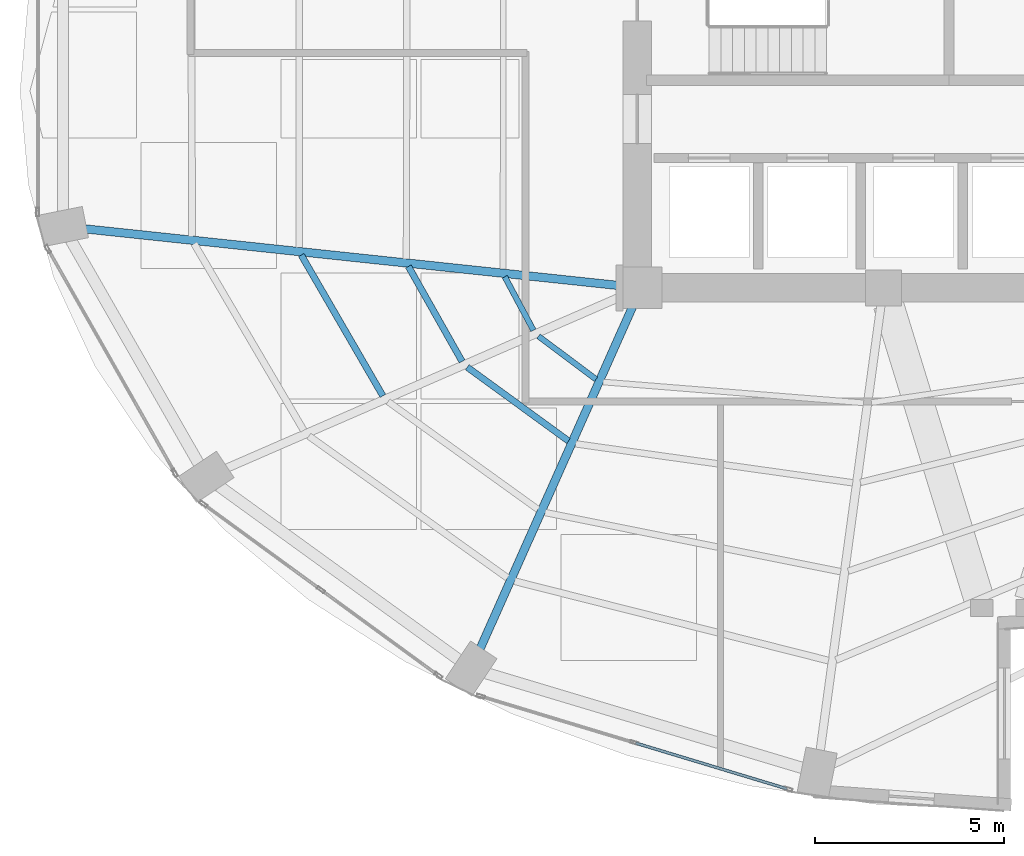
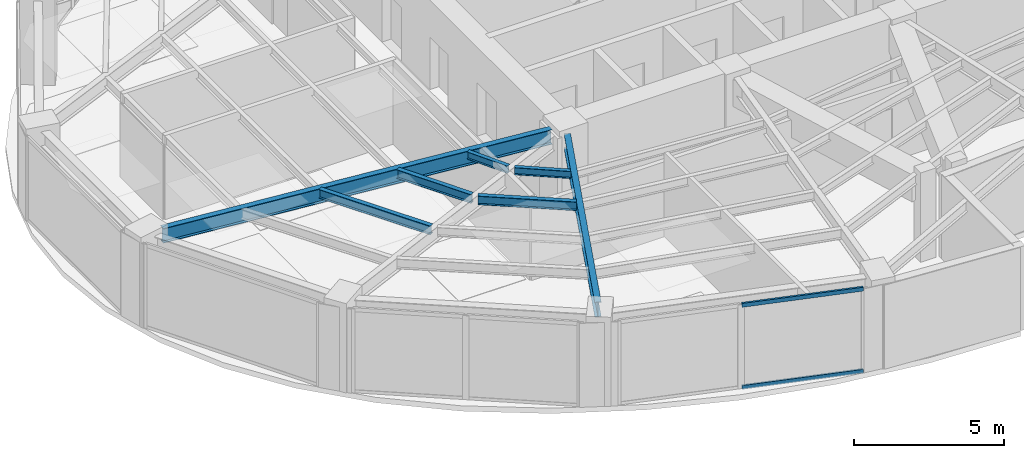
# One storey, part 4 of 23: 7 beams, 2 members, 1 element without a shape of its own.
"""IFC4 building model written with IfcOpenShell, lengths in metres."""

from ifc_helpers import new_model, si_unit, direction, frame, origin, origin_2d, place, context, subcontext, project, spatial, hollow_rectangle, i_section, extrude, material, layer, layer_set, material_profile, profile_set, type_object, element, aggregate, save


model = new_model("IFC4")

# Units and contexts
model_context = context("Model", 3, precision=1e-05, world=origin(), true_north=direction((0.0, 1.0)))
body_context = subcontext(model_context, "Body", "Model", "MODEL_VIEW")
ifc_project = project(units=[si_unit("LENGTHUNIT", "METRE"), si_unit("AREAUNIT", "SQUARE_METRE"), si_unit("VOLUMEUNIT", "CUBIC_METRE"), si_unit("PLANEANGLEUNIT", "RADIAN"), si_unit("MASSUNIT", "GRAM", prefix="KILO")], contexts=[model_context])

# Site, building, storey
site_placement = place(None, origin())
site = spatial("IfcSite", under=ifc_project, at=site_placement, CompositionType="ELEMENT")
building_placement = place(site_placement, origin())
building = spatial("IfcBuilding", under=site, at=building_placement, Name="Lazwardi Medical Tower", CompositionType="ELEMENT")
storey_placement = place(building_placement, frame((0.0, 0.0, 121.8720703125)))
storey = spatial("IfcBuildingStorey", under=building, at=storey_placement, Name="L31", CompositionType="ELEMENT", Elevation=121.8720703125)

# Beams
ifc_material_1 = material(Name="Steel S355", Category="steel")
ifc_material_profile_1 = material_profile(ifc_material_1, i_section(OverallWidth=0.219970703125, OverallDepth=0.60009765625, WebThickness=0.011962890625, FlangeThickness=0.01904296875, at=origin_2d()), Name="IPE 600")
ifc_profile_set_1 = profile_set([ifc_material_profile_1], Name="Steel S355")
beam_type_1 = type_object("IfcBeamType", Name="BM-RG-W1", PredefinedType="BEAM", material=ifc_profile_set_1)
beam_1_placement = place(storey_placement, frame((11.7138671875, 21.958984375, 3.1279296875), z_axis=(0.994413340753, -0.10555618282, 0.0), x_axis=(0.10555618282, 0.994413340753, 0.0)))
element("IfcBeam", 1, at=beam_1_placement, inside=storey, type_object=beam_type_1, Name="Radial girder RG-02 R13 L31", PredefinedType="BEAM", context=body_context, shape_type="SweptSolid", body=[
    extrude(i_section(OverallWidth=0.219970703125, OverallDepth=0.60009765625, WebThickness=0.011962890625, FlangeThickness=0.01904296875, at=origin_2d()), origin(), (0.0, 0.0, 1.0), 14.233642578125),
])
beam_2_placement = place(storey_placement, frame((22.152587890625, 10.872314453125, 3.1279296875), z_axis=(0.407165924957, 0.913354208155, 0.0), x_axis=(-0.913354208155, 0.407165924957, 0.0)))
element("IfcBeam", 2, at=beam_2_placement, inside=storey, type_object=beam_type_1, Name="Radial girder RG-02 R15 L31", PredefinedType="BEAM", context=body_context, shape_type="SweptSolid", body=[
    extrude(i_section(OverallWidth=0.219970703125, OverallDepth=0.60009765625, WebThickness=0.011962890625, FlangeThickness=0.01904296875, at=origin_2d()), origin(), (0.0, 0.0, 1.0), 9.896484375),
])
ifc_material_profile_2 = material_profile(ifc_material_1, i_section(OverallWidth=0.169921875, OverallDepth=0.360107421875, WebThickness=0.008056640625, FlangeThickness=0.0126953125, at=origin_2d()), Name="IPE 360")
ifc_profile_set_2 = profile_set([ifc_material_profile_2], Name="Steel S355")
beam_type_2 = type_object("IfcBeamType", Name="BM-SJ-02", PredefinedType="JOIST", material=ifc_profile_set_2)
beam_3_placement = place(storey_placement, frame((17.42822265625, 21.26708984375, 3.248046875), z_axis=(0.501365325212, -0.865235696602, 0.0), x_axis=(0.865235696602, 0.501365325212, 0.0)))
element("IfcBeam", 3, at=beam_3_placement, inside=storey, type_object=beam_type_2, Name="Secondary joist SJ-02 R2 B13 L31", PredefinedType="JOIST", context=body_context, shape_type="SweptSolid", body=[
    extrude(i_section(OverallWidth=0.169921875, OverallDepth=0.360107421875, WebThickness=0.008056640625, FlangeThickness=0.0126953125, at=origin_2d()), origin(), (0.0, 0.0, 1.0), 4.298828125),
])
beam_4_placement = place(storey_placement, frame((20.258056640625, 20.966064453125, 3.248046875), z_axis=(0.492026539517, -0.870580199873, 0.0), x_axis=(0.870580199873, 0.492026539517, 0.0)))
element("IfcBeam", 4, at=beam_4_placement, inside=storey, type_object=beam_type_2, Name="Secondary joist SJ-02 R3 B13 L31", PredefinedType="JOIST", context=body_context, shape_type="SweptSolid", body=[
    extrude(i_section(OverallWidth=0.169921875, OverallDepth=0.360107421875, WebThickness=0.008056640625, FlangeThickness=0.0126953125, at=origin_2d()), origin(), (0.0, 0.0, 1.0), 2.880859375),
])
beam_5_placement = place(storey_placement, frame((21.81201171875, 18.3046875, 3.248046875), z_axis=(0.808301737247, -0.588768461761, 0.0), x_axis=(0.588768461761, 0.808301737247, 0.0)))
element("IfcBeam", 5, at=beam_5_placement, inside=storey, type_object=beam_type_2, Name="Secondary joist SJ-02 R3 B14 L31", PredefinedType="JOIST", context=body_context, shape_type="SweptSolid", body=[
    extrude(i_section(OverallWidth=0.169921875, OverallDepth=0.360107421875, WebThickness=0.008056640625, FlangeThickness=0.0126953125, at=origin_2d()), origin(), (0.0, 0.0, 1.0), 3.307373046875),
])
ifc_material_profile_3 = material_profile(ifc_material_1, i_section(OverallWidth=0.14990234375, OverallDepth=0.300048828125, WebThickness=0.007080078125, FlangeThickness=0.0107421875, at=origin_2d()), Name="IPE 300")
ifc_profile_set_3 = profile_set([ifc_material_profile_3], Name="Steel S355")
beam_type_3 = type_object("IfcBeamType", Name="BM-SJ-03", PredefinedType="JOIST", material=ifc_profile_set_3)
beam_6_placement = place(storey_placement, frame((22.8037109375, 20.6943359375, 3.27783203125), z_axis=(0.471022344925, -0.882121278839, 0.0), x_axis=(0.882121278839, 0.471022344925, 0.0)))
element("IfcBeam", 6, at=beam_6_placement, inside=storey, type_object=beam_type_3, Name="Secondary joist SJ-03 R4 B13 L31", PredefinedType="JOIST", context=body_context, shape_type="SweptSolid", body=[
    extrude(i_section(OverallWidth=0.14990234375, OverallDepth=0.300048828125, WebThickness=0.007080078125, FlangeThickness=0.0107421875, at=origin_2d()), origin(), (0.0, 0.0, 1.0), 1.605224609375),
])
beam_7_placement = place(storey_placement, frame((23.693359375, 19.12255859375, 3.27783203125), z_axis=(0.800447687995, -0.599402618265, 0.0), x_axis=(0.599402618265, 0.800447687995, 0.0)))
element("IfcBeam", 7, at=beam_7_placement, inside=storey, type_object=beam_type_3, Name="Secondary joist SJ-03 R4 B14 L31", PredefinedType="JOIST", context=body_context, shape_type="SweptSolid", body=[
    extrude(i_section(OverallWidth=0.14990234375, OverallDepth=0.300048828125, WebThickness=0.007080078125, FlangeThickness=0.0107421875, at=origin_2d()), origin(), (0.0, 0.0, 1.0), 1.896728515625),
])

# Curtain wall, members
ifc_material_2 = material(Name="Anodised bronze aluminium and solar control glazing", Category="aluminium")
ifc_layer = layer(ifc_material_2, 0.195068359375)
ifc_layer_set = layer_set([ifc_layer], Name="Anodised bronze aluminium and solar control glazing")
curtain_wall_type = type_object("IfcCurtainWallType", Name="CW-SYS-03", PredefinedType="NOTDEFINED", material=ifc_layer_set)
curtain_wall_placement = place(storey_placement, origin())
curtain_wall = element("IfcCurtainWall", 8, at=curtain_wall_placement, inside=storey, type_object=curtain_wall_type, Name="L31 Unitised bronze curtain wall CW-03", PredefinedType="NOTDEFINED")
ifc_material_3 = material(Name="Anodised bronze aluminium", Category="aluminium")
ifc_material_profile_4 = material_profile(ifc_material_3, hollow_rectangle(XDim=0.074951171875, YDim=0.159912109375, WallThickness=0.00390625, at=origin_2d()), Name="ALU-TRANSOM 160x75x4")
ifc_profile_set_4 = profile_set([ifc_material_profile_4], Name="Anodised bronze aluminium")
member_type = type_object("IfcMemberType", Name="CW-TRN-01", PredefinedType="USERDEFINED", material=ifc_profile_set_4)
member_1_placement = place(storey_placement, frame((26.2666015625, 8.3759765625, 0.037353515625), z_axis=(0.957220865985, -0.289358279168, 0.0), x_axis=(0.289358279168, 0.957220865985, 0.0)))
member_1 = element("IfcMember", 9, at=member_1_placement, type_object=member_type, Name="CW-03 transom 2.1", ObjectType="TRANSOM", PredefinedType="USERDEFINED", context=body_context, shape_type="SweptSolid", body=[
    extrude(hollow_rectangle(XDim=0.074951171875, YDim=0.159912109375, WallThickness=0.00390625, at=origin_2d()), origin(), (0.0, 0.0, 1.0), 4.16552734375),
])
member_2_placement = place(storey_placement, frame((26.2666015625, 8.3759765625, 3.390380859375), z_axis=(0.957220865985, -0.289358279168, 0.0), x_axis=(0.289358279168, 0.957220865985, 0.0)))
member_2 = element("IfcMember", 10, at=member_2_placement, type_object=member_type, Name="CW-03 transom 2.2", ObjectType="TRANSOM", PredefinedType="USERDEFINED", context=body_context, shape_type="SweptSolid", body=[
    extrude(hollow_rectangle(XDim=0.074951171875, YDim=0.159912109375, WallThickness=0.00390625, at=origin_2d()), origin(), (0.0, 0.0, 1.0), 4.16552734375),
])
aggregate(curtain_wall, [member_1, member_2])

save(model, "model.ifc")
